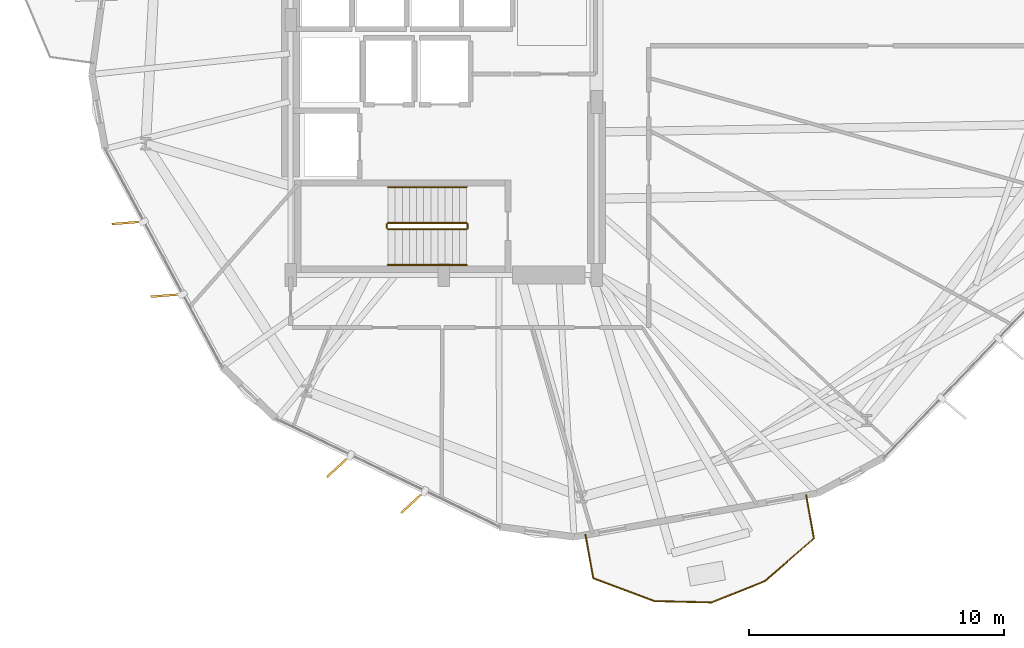
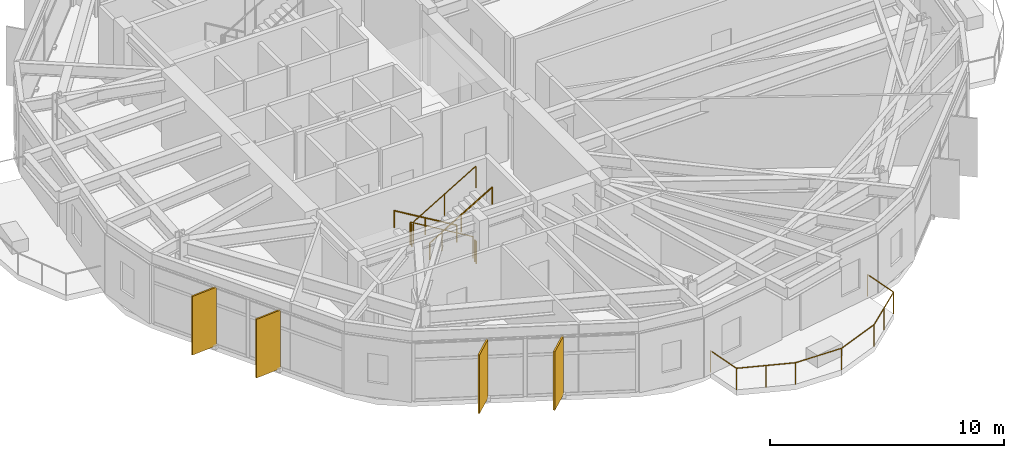
# One storey, part 20 of 22: 7 railings, 4 shading devices.
"""IFC4 building model written with IfcOpenShell, lengths in metres."""

from ifc_helpers import new_model, si_unit, direction, frame, origin, origin_2d, place, context, subcontext, project, spatial, rectangle, circle, extrude, material, layer, layer_set, type_object, element, save


model = new_model("IFC4")

# Units and contexts
model_context = context("Model", 3, precision=1e-05, world=origin(), true_north=direction((0.0, 1.0)))
body_context = subcontext(model_context, "Body", "Model", "MODEL_VIEW")
ifc_project = project(units=[si_unit("LENGTHUNIT", "METRE"), si_unit("AREAUNIT", "SQUARE_METRE"), si_unit("VOLUMEUNIT", "CUBIC_METRE"), si_unit("PLANEANGLEUNIT", "RADIAN"), si_unit("MASSUNIT", "GRAM", prefix="KILO")], contexts=[model_context])

# Site, building, storey
site_placement = place(None, origin())
site = spatial("IfcSite", under=ifc_project, at=site_placement, CompositionType="ELEMENT")
building_placement = place(site_placement, origin())
building = spatial("IfcBuilding", under=site, at=building_placement, Name="Soratama Intermodal Tower", CompositionType="ELEMENT")
storey_placement = place(building_placement, frame((0.0, 0.0, 66.60009765625)))
storey = spatial("IfcBuildingStorey", under=building, at=storey_placement, Name="L15", CompositionType="ELEMENT", Elevation=66.60009765625)

# Railings
ifc_material_1 = material(Name="Laminated glass and stainless steel balustrade", Category="steel")
railing_type_1 = type_object("IfcRailingType", Name="RL-BAL-1150", PredefinedType="BALUSTRADE", material=ifc_material_1)
railing_1_placement = place(storey_placement, frame((52.822265625, 6.366943359375, 0.0)))
element("IfcRailing", 1, at=railing_1_placement, inside=storey, type_object=railing_type_1, Name="L15 Balcony Balustrade 3", PredefinedType="BALUSTRADE", context=body_context, shape_type="SweptSolid", body=[
    extrude(circle(Radius=0.02392578125, at=origin_2d()), frame((0.0, 0.0, 1.1259765625), z_axis=(0.177023742511, -0.984206581256, 0.0), x_axis=(0.984206581256, 0.177023742511, 0.0)), (0.0, 0.0, 1.0), 1.7197265625),
    extrude(circle(Radius=0.02392578125, at=origin_2d()), frame((0.304443359375, -1.692626953125, 1.1259765625), z_axis=(-0.754722506072, -0.656044159207, 0.0), x_axis=(0.656044159207, -0.754722506072, 0.0)), (0.0, 0.0, 1.0), 2.560791015625),
    extrude(circle(Radius=0.02392578125, at=origin_2d()), frame((-1.628173828125, -3.37255859375, 1.1259765625), z_axis=(-0.928903607837, -0.370321599893, 0.0), x_axis=(0.370321599893, -0.928903607837, 0.0)), (0.0, 0.0, 1.0), 2.244873046875),
    extrude(circle(Radius=0.02392578125, at=origin_2d()), frame((-3.71337890625, -4.203857421875, 1.1259765625), z_axis=(-0.999726568377, 0.023383508725, 0.0), x_axis=(-0.023383508725, -0.999726568377, 0.0)), (0.0, 0.0, 1.0), 2.244873046875),
    extrude(circle(Radius=0.02392578125, at=origin_2d()), frame((-5.95751953125, -4.1513671875, 1.1259765625), z_axis=(-0.936089922558, 0.35176079498, 0.0), x_axis=(-0.35176079498, -0.936089922558, 0.0)), (0.0, 0.0, 1.0), 2.560302734375),
    extrude(circle(Radius=0.02392578125, at=origin_2d()), frame((-8.354248046875, -3.250732421875, 1.1259765625), z_axis=(-0.177136500464, 0.984186293444, 0.0), x_axis=(-0.984186293444, -0.177136500464, 0.0)), (0.0, 0.0, 1.0), 1.719970703125),
    extrude(circle(Radius=0.02099609375, at=origin_2d()), origin(), (0.0, 0.0, 1.0), 1.101806640625),
    extrude(circle(Radius=0.02099609375, at=origin_2d()), frame((0.304443359375, -1.692626953125, 0.0)), (0.0, 0.0, 1.0), 1.101806640625),
    extrude(circle(Radius=0.02099609375, at=origin_2d()), frame((-0.661865234375, -2.53271484375, 0.0)), (0.0, 0.0, 1.0), 1.101806640625),
    extrude(circle(Radius=0.02099609375, at=origin_2d()), frame((-1.628173828125, -3.37255859375, 0.0)), (0.0, 0.0, 1.0), 1.101806640625),
    extrude(circle(Radius=0.02099609375, at=origin_2d()), frame((-3.71337890625, -4.203857421875, 0.0)), (0.0, 0.0, 1.0), 1.101806640625),
    extrude(circle(Radius=0.02099609375, at=origin_2d()), frame((-5.95751953125, -4.1513671875, 0.0)), (0.0, 0.0, 1.0), 1.101806640625),
    extrude(circle(Radius=0.02099609375, at=origin_2d()), frame((-7.15576171875, -3.701171875, 0.0)), (0.0, 0.0, 1.0), 1.101806640625),
    extrude(circle(Radius=0.02099609375, at=origin_2d()), frame((-8.354248046875, -3.250732421875, 0.0)), (0.0, 0.0, 1.0), 1.101806640625),
    extrude(circle(Radius=0.02099609375, at=origin_2d()), frame((-8.658935546875, -1.557861328125, 0.0)), (0.0, 0.0, 1.0), 1.101806640625),
])
ifc_material_2 = material(Name="Painted steel stair guardrail", Category="steel")
railing_type_2 = type_object("IfcRailingType", Name="RL-STAIR-GUARD", PredefinedType="GUARDRAIL", material=ifc_material_2)
railing_2_placement = place(storey_placement, frame((39.5, 17.050048828125, 0.16650390625)))
element("IfcRailing", 2, at=railing_2_placement, inside=storey, type_object=railing_type_2, Name="L15 ST-1 stair guard 1", PredefinedType="GUARDRAIL", context=body_context, shape_type="SweptSolid", body=[
    extrude(circle(Radius=0.02392578125, at=origin_2d()), frame((0.0, 0.0, 1.1259765625), z_axis=(-0.85927862911, 0.0, 0.511507807912), x_axis=(0.0, -1.0, 0.0)), (0.0, 0.0, 1.0), 3.58447265625),
    extrude(circle(Radius=0.02099609375, at=origin_2d()), origin(), (0.0, 0.0, 1.0), 1.101806640625),
    extrude(circle(Radius=0.02099609375, at=origin_2d()), frame((-1.5400390625, 0.0, 0.916748046875)), (0.0, 0.0, 1.0), 1.101806640625),
    extrude(circle(Radius=0.02099609375, at=origin_2d()), frame((-3.080078125, 0.0, 1.83349609375)), (0.0, 0.0, 1.0), 1.101806640625),
])
railing_3_placement = place(storey_placement, frame((36.3701171875, 17.0, 2.0)))
element("IfcRailing", 3, at=railing_3_placement, inside=storey, type_object=railing_type_2, Name="L15 ST-1 stair guard 2", PredefinedType="GUARDRAIL", context=body_context, shape_type="SweptSolid", body=[
    extrude(circle(Radius=0.02392578125, at=origin_2d()), frame((0.0, 0.0, 1.1259765625), z_axis=(0.0, -1.0, 0.0), x_axis=(1.0, 0.0, 0.0)), (0.0, 0.0, 1.0), 0.14990234375),
    extrude(circle(Radius=0.02099609375, at=origin_2d()), origin(), (0.0, 0.0, 1.0), 1.101806640625),
    extrude(circle(Radius=0.02099609375, at=origin_2d()), frame((0.0, -0.14990234375, 0.0)), (0.0, 0.0, 1.0), 1.101806640625),
])
railing_4_placement = place(storey_placement, frame((36.419921875, 16.800048828125, 2.16650390625)))
element("IfcRailing", 4, at=railing_4_placement, inside=storey, type_object=railing_type_2, Name="L15 ST-1 stair guard 3", PredefinedType="GUARDRAIL", context=body_context, shape_type="SweptSolid", body=[
    extrude(circle(Radius=0.02392578125, at=origin_2d()), frame((0.0, 0.0, 1.1259765625), z_axis=(0.85927862911, 0.0, 0.511507807912), x_axis=(0.0, 1.0, 0.0)), (0.0, 0.0, 1.0), 3.58447265625),
    extrude(circle(Radius=0.02099609375, at=origin_2d()), origin(), (0.0, 0.0, 1.0), 1.101806640625),
    extrude(circle(Radius=0.02099609375, at=origin_2d()), frame((1.5400390625, 0.0, 0.916748046875)), (0.0, 0.0, 1.0), 1.101806640625),
    extrude(circle(Radius=0.02099609375, at=origin_2d()), frame((3.080078125, 0.0, 1.83349609375)), (0.0, 0.0, 1.0), 1.101806640625),
])
railing_5_placement = place(storey_placement, frame((39.550048828125, 17.0, 0.0)))
element("IfcRailing", 5, at=railing_5_placement, inside=storey, type_object=railing_type_2, Name="L15 ST-1 stair guard 4", PredefinedType="GUARDRAIL", context=body_context, shape_type="SweptSolid", body=[
    extrude(circle(Radius=0.02392578125, at=origin_2d()), frame((0.0, 0.0, 1.1259765625), z_axis=(0.0, -1.0, 0.0), x_axis=(1.0, 0.0, 0.0)), (0.0, 0.0, 1.0), 0.14990234375),
    extrude(circle(Radius=0.02099609375, at=origin_2d()), origin(), (0.0, 0.0, 1.0), 1.101806640625),
    extrude(circle(Radius=0.02099609375, at=origin_2d()), frame((0.0, -0.14990234375, 0.0)), (0.0, 0.0, 1.0), 1.101806640625),
])
ifc_material_3 = material(Name="Brushed stainless steel handrail", Category="steel")
railing_type_3 = type_object("IfcRailingType", Name="RL-STAIR-HAND", PredefinedType="HANDRAIL", material=ifc_material_3)
railing_6_placement = place(storey_placement, frame((39.5, 18.449951171875, 0.16650390625)))
element("IfcRailing", 6, at=railing_6_placement, inside=storey, type_object=railing_type_3, Name="L15 ST-1 stair handrail 1", PredefinedType="HANDRAIL", context=body_context, shape_type="SweptSolid", body=[
    extrude(circle(Radius=0.02392578125, at=origin_2d()), frame((0.0, 0.0, 0.8759765625), z_axis=(-0.85927862911, 0.0, 0.511507807912), x_axis=(0.0, -1.0, 0.0)), (0.0, 0.0, 1.0), 3.58447265625),
    extrude(circle(Radius=0.02099609375, at=origin_2d()), origin(), (0.0, 0.0, 1.0), 0.851806640625),
    extrude(circle(Radius=0.02099609375, at=origin_2d()), frame((-1.5400390625, 0.0, 0.916748046875)), (0.0, 0.0, 1.0), 0.851806640625),
    extrude(circle(Radius=0.02099609375, at=origin_2d()), frame((-3.080078125, 0.0, 1.83349609375)), (0.0, 0.0, 1.0), 0.851806640625),
])
railing_7_placement = place(storey_placement, frame((36.419921875, 15.39990234375, 2.16650390625)))
element("IfcRailing", 7, at=railing_7_placement, inside=storey, type_object=railing_type_3, Name="L15 ST-1 stair handrail 2", PredefinedType="HANDRAIL", context=body_context, shape_type="SweptSolid", body=[
    extrude(circle(Radius=0.02392578125, at=origin_2d()), frame((0.0, 0.0, 0.8759765625), z_axis=(0.85927862911, 0.0, 0.511507807912), x_axis=(0.0, 1.0, 0.0)), (0.0, 0.0, 1.0), 3.58447265625),
    extrude(circle(Radius=0.02099609375, at=origin_2d()), origin(), (0.0, 0.0, 1.0), 0.851806640625),
    extrude(circle(Radius=0.02099609375, at=origin_2d()), frame((1.5400390625, 0.0, 0.916748046875)), (0.0, 0.0, 1.0), 0.851806640625),
    extrude(circle(Radius=0.02099609375, at=origin_2d()), frame((3.080078125, 0.0, 1.83349609375)), (0.0, 0.0, 1.0), 0.851806640625),
])

# Shading devices
ifc_material_4 = material(Name="Champagne anodised aluminium solar fin", Category="aluminium")
ifc_layer = layer(ifc_material_4, 0.080078125)
ifc_layer_set = layer_set([ifc_layer], Name="Champagne anodised aluminium solar fin")
shading_device_type = type_object("IfcShadingDeviceType", Name="SH-FIN-1250", PredefinedType="USERDEFINED", material=ifc_layer_set)
for number, where, z_axis, x_axis, name in (
    (8, (26.210693359375, 17.053466796875, 0.019775390625), (0.0, 0.0, 1.0), (-0.996917333733, -0.078459095728, 0.0), "L15 Solar Fin F06-1"),
    (9, (27.73828125, 14.20458984375, 0.019775390625), (0.0, 0.0, 1.0), (-0.996917333733, -0.078459095728, 0.0), "L15 Solar Fin F06-2"),
    (10, (34.4873046875, 7.507568359375, 0.019775390625), (0.0, 0.0, 1.0), (-0.73349265005, -0.679697382901, 0.0), "L15 Solar Fin F07-1"),
    (11, (37.397705078125, 6.1005859375, 0.019775390625), (0.0, 0.0, 1.0), (-0.73349265005, -0.679697382901, 0.0), "L15 Solar Fin F07-2"),
):
    element("IfcShadingDevice", number, at=place(storey_placement, frame(where, z_axis=z_axis, x_axis=x_axis)), inside=storey, type_object=shading_device_type, Name=name, ObjectType="FIN", PredefinedType="USERDEFINED", context=body_context, shape_type="SweptSolid", body=[
        extrude(rectangle(XDim=1.25, YDim=0.080078125, at=origin_2d()), origin(), (0.0, 0.0, 1.0), 3.05908203125),
    ])

save(model, "model.ifc")
